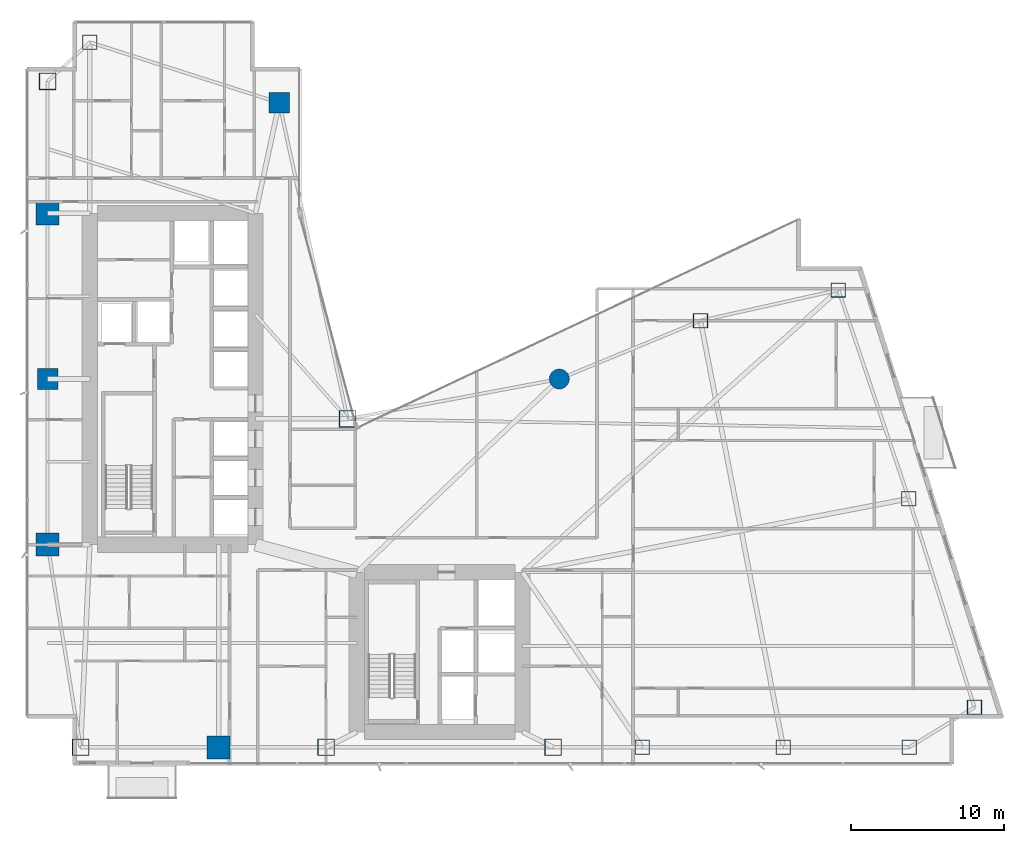
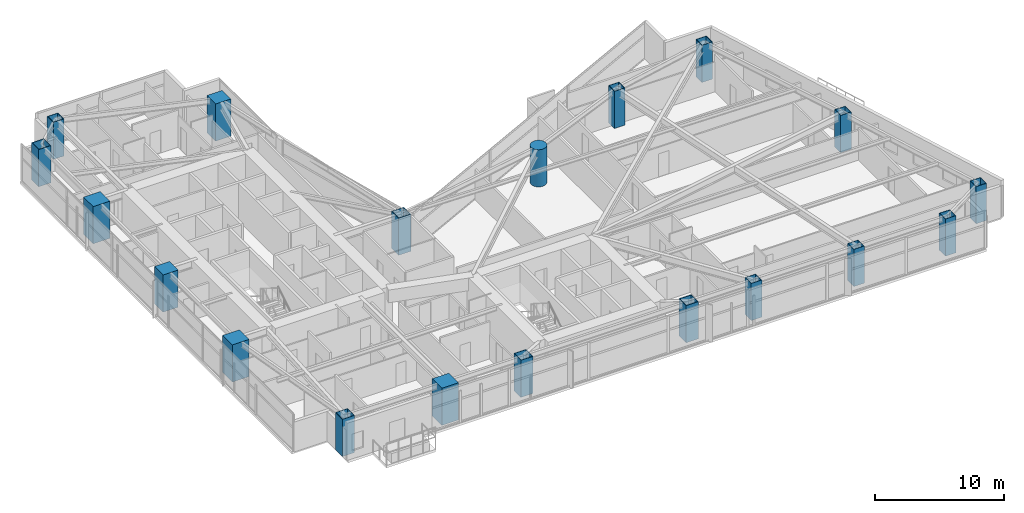
# One storey, part 1 of 28: 19 columns.
"""IFC4 building model written with IfcOpenShell, lengths in metres."""

from ifc_helpers import new_model, si_unit, direction, frame, origin, origin_2d, place, context, subcontext, project, spatial, rectangle, hollow_rectangle, circle, extrude, material, material_profile, profile_set, type_object, element, save


model = new_model("IFC4")

# Units and contexts
model_context = context("Model", 3, precision=1e-05, world=origin(), true_north=direction((0.0, 1.0)))
body_context = subcontext(model_context, "Body", "Model", "MODEL_VIEW")
ifc_project = project(units=[si_unit("LENGTHUNIT", "METRE"), si_unit("AREAUNIT", "SQUARE_METRE"), si_unit("VOLUMEUNIT", "CUBIC_METRE"), si_unit("PLANEANGLEUNIT", "RADIAN"), si_unit("MASSUNIT", "GRAM", prefix="KILO")], contexts=[model_context])

# Site, building, storey
site_placement = place(None, origin())
site = spatial("IfcSite", under=ifc_project, at=site_placement, CompositionType="ELEMENT")
building_placement = place(site_placement, origin())
building = spatial("IfcBuilding", under=site, at=building_placement, Name="Calvorn Quay Hotel", CompositionType="ELEMENT")
storey_placement = place(building_placement, frame((0.0, 0.0, 42.199951171875)))
storey = spatial("IfcBuildingStorey", under=building, at=storey_placement, Name="L09", CompositionType="ELEMENT", Elevation=42.199951171875)

# Columns
ifc_material_1 = material(Name="Concrete C60", Category="concrete")
ifc_material_profile_1 = material_profile(ifc_material_1, rectangle(XDim=1.35009765625, YDim=1.35009765625, at=origin_2d()), Name="RC1350x1350")
ifc_profile_set_1 = profile_set([ifc_material_profile_1], Name="Concrete C60")
column_type_1 = type_object("IfcColumnType", Name="COL-RC-1350", PredefinedType="COLUMN", material=ifc_profile_set_1)
for number, where, z_axis, x_axis, name in (
    (1, (1.449951171875, 27.60009765625, 0.0), (0.0, 0.0, 1.0), (1.0, 0.0, 0.0), "Column C-W3 (L09)"),
    (2, (16.550048828125, 45.60009765625, 0.0), (0.0, 0.0, 1.0), (1.0, 0.0, 0.0), "Column C-IC1 (L09)"),
):
    element("IfcColumn", number, at=place(storey_placement, frame(where, z_axis=z_axis, x_axis=x_axis)), inside=storey, type_object=column_type_1, Name=name, PredefinedType="COLUMN", context=body_context, shape_type="SweptSolid", body=[
        extrude(rectangle(XDim=1.35009765625, YDim=1.35009765625, at=origin_2d()), origin(), (0.0, 0.0, 1.0), 3.52001953125),
    ])
ifc_material_2 = material(Name="Concrete C60", Category="concrete")
ifc_material_profile_2 = material_profile(ifc_material_2, rectangle(XDim=1.5, YDim=1.5, at=origin_2d()), Name="RC1500x1500")
ifc_profile_set_2 = profile_set([ifc_material_profile_2], Name="Concrete C60")
column_type_2 = type_object("IfcColumnType", Name="COL-RC-1500", PredefinedType="COLUMN", material=ifc_profile_set_2)
for number, where, z_axis, x_axis, name in (
    (3, (1.449951171875, 16.800048828125, 0.0), (0.0, 0.0, 1.0), (1.0, 0.0, 0.0), "Column C-W2 (L09)"),
    (4, (1.449951171875, 38.39990234375, 0.0), (0.0, 0.0, 1.0), (1.0, 0.0, 0.0), "Column C-W4 (L09)"),
    (5, (12.60009765625, 3.60009765625, 0.0), (0.0, 0.0, 1.0), (1.0, 0.0, 0.0), "Column C-S1 (L09)"),
):
    element("IfcColumn", number, at=place(storey_placement, frame(where, z_axis=z_axis, x_axis=x_axis)), inside=storey, type_object=column_type_2, Name=name, PredefinedType="COLUMN", context=body_context, shape_type="SweptSolid", body=[
        extrude(rectangle(XDim=1.5, YDim=1.5, at=origin_2d()), origin(), (0.0, 0.0, 1.0), 3.52001953125),
    ])
ifc_material_3 = material(Name="Concrete C60", Category="concrete")
ifc_material_profile_3 = material_profile(ifc_material_3, circle(Radius=0.64990234375, at=origin_2d()), Name="RCD1300")
ifc_profile_set_3 = profile_set([ifc_material_profile_3], Name="Concrete C60")
column_type_3 = type_object("IfcColumnType", Name="COL-RC-D1300", PredefinedType="COLUMN", material=ifc_profile_set_3)
column_placement = place(storey_placement, frame((34.800048828125, 27.60009765625, 0.0), z_axis=(0.0, 0.0, 1.0), x_axis=(1.0, 0.0, 0.0)))
element("IfcColumn", 6, at=column_placement, inside=storey, type_object=column_type_3, Name="Column C-NC1 (L09)", PredefinedType="COLUMN", context=body_context, shape_type="SweptSolid", body=[
    extrude(circle(Radius=0.64990234375, at=origin_2d()), origin(), (0.0, 0.0, 1.0), 3.52001953125),
])
ifc_material_4 = material(Name="Steel Q420GJC", Category="steel")
ifc_material_profile_4 = material_profile(ifc_material_4, hollow_rectangle(XDim=1.10009765625, YDim=1.10009765625, WallThickness=0.044921875, at=origin_2d()), Name="BOX1100x1100x45")
ifc_profile_set_4 = profile_set([ifc_material_profile_4], Name="Steel Q420GJC")
column_type_4 = type_object("IfcColumnType", Name="COL-STL-MEGA1", PredefinedType="COLUMN", material=ifc_profile_set_4)
for number, where, z_axis, x_axis, name in (
    (7, (3.60009765625, 3.60009765625, 0.0), (0.0, 0.0, 1.0), (1.0, 0.0, 0.0), "Column C-W1 (L09)"),
    (8, (1.449951171875, 47.0, 0.0), (0.0, 0.0, 1.0), (1.0, 0.0, 0.0), "Column C-W5 (L09)"),
    (9, (21.0, 25.0, 0.0), (0.0, 0.0, 1.0), (1.0, 0.0, 0.0), "Column C-IC2 (L09)"),
    (10, (19.60009765625, 3.60009765625, 0.0), (0.0, 0.0, 1.0), (1.0, 0.0, 0.0), "Column C-S2 (L09)"),
    (11, (34.39990234375, 3.60009765625, 0.0), (0.0, 0.0, 1.0), (1.0, 0.0, 0.0), "Column C-S3 (L09)"),
):
    element("IfcColumn", number, at=place(storey_placement, frame(where, z_axis=z_axis, x_axis=x_axis)), inside=storey, type_object=column_type_4, Name=name, PredefinedType="COLUMN", context=body_context, shape_type="SweptSolid", body=[
        extrude(hollow_rectangle(XDim=1.10009765625, YDim=1.10009765625, WallThickness=0.044921875, at=origin_2d()), origin(), (0.0, 0.0, 1.0), 3.52001953125),
    ])
ifc_material_5 = material(Name="Steel Q420GJC", Category="steel")
ifc_material_profile_5 = material_profile(ifc_material_5, hollow_rectangle(XDim=0.949951171875, YDim=0.949951171875, WallThickness=0.0400390625, at=origin_2d()), Name="BOX950x950x40")
ifc_profile_set_5 = profile_set([ifc_material_profile_5], Name="Steel Q420GJC")
column_type_5 = type_object("IfcColumnType", Name="COL-STL-MEGA2", PredefinedType="COLUMN", material=ifc_profile_set_5)
for number, where, z_axis, x_axis, name in (
    (12, (4.199951171875, 49.550048828125, 0.0), (0.0, 0.0, 1.0), (1.0, 0.0, 0.0), "Column C-NW1 (L09)"),
    (13, (40.199951171875, 3.60009765625, 0.0), (0.0, 0.0, 1.0), (1.0, 0.0, 0.0), "Column C-S4 (L09)"),
    (14, (49.39990234375, 3.60009765625, 0.0), (0.0, 0.0, 1.0), (1.0, 0.0, 0.0), "Column C-S5 (L09)"),
    (15, (57.60009765625, 3.60009765625, 0.0), (0.0, 0.0, 1.0), (1.0, 0.0, 0.0), "Column C-S6 (L09)"),
    (16, (44.0, 31.39990234375, 0.0), (0.0, 0.0, 1.0), (1.0, 0.0, 0.0), "Column C-NC2 (L09)"),
    (17, (61.861083984375, 6.199951171875, 0.0), (0.0, 0.0, 1.0), (1.0, 0.0, 0.0), "Column C-ET1 (L09)"),
    (18, (57.575927734375, 19.800048828125, 0.0), (0.0, 0.0, 1.0), (1.0, 0.0, 0.0), "Column C-ET2 (L09)"),
    (19, (52.990966796875, 33.39990234375, 0.0), (0.0, 0.0, 1.0), (1.0, 0.0, 0.0), "Column C-ET3 (L09)"),
):
    element("IfcColumn", number, at=place(storey_placement, frame(where, z_axis=z_axis, x_axis=x_axis)), inside=storey, type_object=column_type_5, Name=name, PredefinedType="COLUMN", context=body_context, shape_type="SweptSolid", body=[
        extrude(hollow_rectangle(XDim=0.949951171875, YDim=0.949951171875, WallThickness=0.0400390625, at=origin_2d()), origin(), (0.0, 0.0, 1.0), 3.52001953125),
    ])

save(model, "model.ifc")
